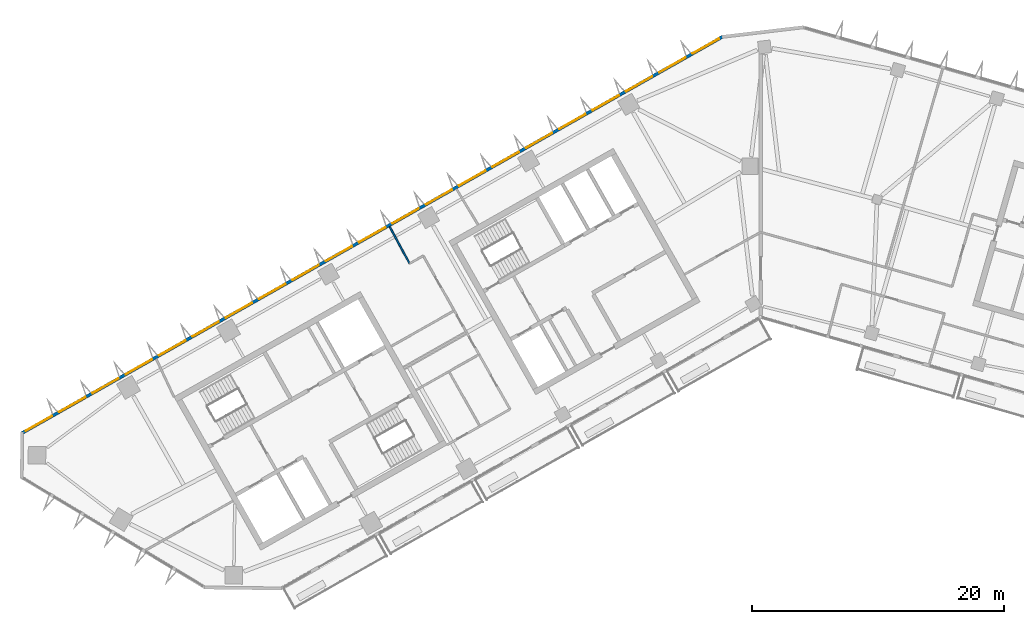
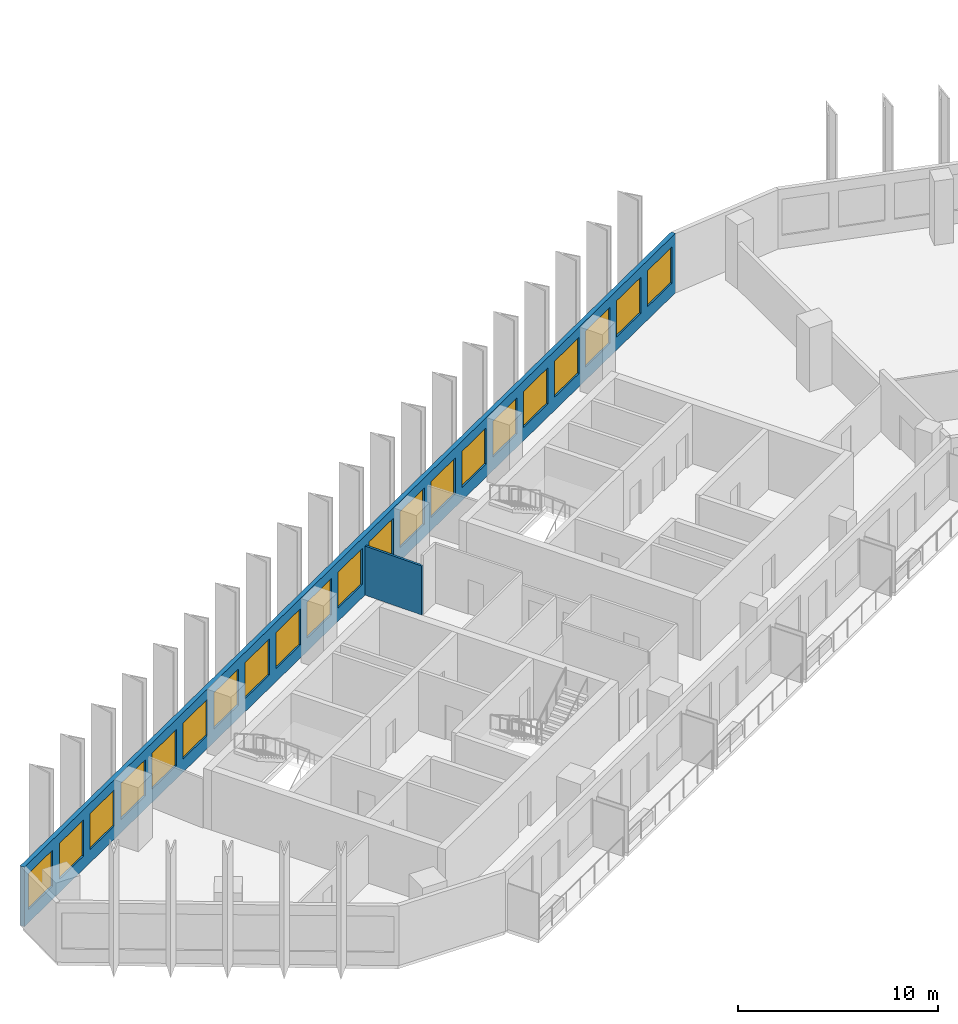
# One storey, part 4 of 11: 21 windows, 2 walls, 21 openings.
"""IFC4 building model written with IfcOpenShell, lengths in metres."""

from ifc_helpers import new_model, si_unit, direction, frame, frame_2d, origin, place, context, subcontext, project, spatial, rectangle, extrude, material, layer, layer_set, type_object, element, fill, save


model = new_model("IFC4")

# Units and contexts
model_context = context("Model", 3, precision=1e-05, world=origin(), true_north=direction((0.0, 1.0)))
body_context = subcontext(model_context, "Body", "Model", "MODEL_VIEW")
ifc_project = project(units=[si_unit("LENGTHUNIT", "METRE"), si_unit("AREAUNIT", "SQUARE_METRE"), si_unit("VOLUMEUNIT", "CUBIC_METRE"), si_unit("PLANEANGLEUNIT", "RADIAN"), si_unit("MASSUNIT", "GRAM", prefix="KILO")], contexts=[model_context])

# Site, building, storey
site_placement = place(None, origin())
site = spatial("IfcSite", under=ifc_project, at=site_placement, CompositionType="ELEMENT")
building_placement = place(site_placement, origin())
building = spatial("IfcBuilding", under=site, at=building_placement, Name="Binnacle Exchange Tower", CompositionType="ELEMENT")
storey_placement = place(building_placement, frame((0.0, 0.0, 207.5)))
storey = spatial("IfcBuildingStorey", under=building, at=storey_placement, Name="L45", CompositionType="ELEMENT", Elevation=207.5)

# Wall, openings, windows
ifc_material_1 = material(Name="Bronze aluminium cladding", Category="aluminium")
ifc_layer_1 = layer(ifc_material_1, 0.25)
ifc_layer_set_1 = layer_set([ifc_layer_1], Name="External wall - window wall 250")
wall_type_1 = type_object("IfcWallType", Name="External wall - window wall 250", PredefinedType="STANDARD", material=ifc_layer_set_1)
wall_1_placement = place(storey_placement, frame((-58.732177734375, 38.770751953125, 0.0), z_axis=(0.0, 0.0, 1.0), x_axis=(0.870354824205, 0.492425100887, 0.0)))
wall_1 = element("IfcWall", 1, at=wall_1_placement, inside=storey, type_object=wall_type_1, Name="External wall EW-G08 L45", PredefinedType="STANDARD", context=body_context, shape_type="SweptSolid", body=[
    extrude(rectangle(XDim=64.005859375, YDim=0.25, at=frame_2d((32.0029296875, 0.0))), origin(), (0.0, 0.0, 1.0), 3.6201171875),
])
opening_1_placement = place(wall_1_placement, frame((61.25927734375, 0.0, 0.800048828125)))
opening_1 = element("IfcOpeningElement", 2, at=opening_1_placement, cuts=wall_1, Name="Opening WR1", PredefinedType="OPENING", context=body_context, shape_type="SweptSolid", body=[
    extrude(rectangle(XDim=2.39990234375, YDim=2.199951171875, at=frame_2d((1.199951171875, 1.10009765625))), frame((0.0, 0.135009765625, 0.0), z_axis=(0.0, -1.0, 0.0), x_axis=(1.0, 0.0, 0.0)), (0.0, 0.0, 1.0), 0.27001953125),
])
opening_2_placement = place(wall_1_placement, frame((58.2158203125, 0.0, 0.800048828125)))
opening_2 = element("IfcOpeningElement", 3, at=opening_2_placement, cuts=wall_1, Name="Opening WR1", PredefinedType="OPENING", context=body_context, shape_type="SweptSolid", body=[
    extrude(rectangle(XDim=2.39990234375, YDim=2.199951171875, at=frame_2d((1.199951171875, 1.10009765625))), frame((0.0, 0.135009765625, 0.0), z_axis=(0.0, -1.0, 0.0), x_axis=(1.0, 0.0, 0.0)), (0.0, 0.0, 1.0), 0.27001953125),
])
opening_3_placement = place(wall_1_placement, frame((55.172607421875, 0.0, 0.800048828125)))
opening_3 = element("IfcOpeningElement", 4, at=opening_3_placement, cuts=wall_1, Name="Opening WR1", PredefinedType="OPENING", context=body_context, shape_type="SweptSolid", body=[
    extrude(rectangle(XDim=2.39990234375, YDim=2.199951171875, at=frame_2d((1.199951171875, 1.10009765625))), frame((0.0, 0.135009765625, 0.0), z_axis=(0.0, -1.0, 0.0), x_axis=(1.0, 0.0, 0.0)), (0.0, 0.0, 1.0), 0.27001953125),
])
opening_4_placement = place(wall_1_placement, frame((52.12939453125, 0.0, 0.800048828125)))
opening_4 = element("IfcOpeningElement", 5, at=opening_4_placement, cuts=wall_1, Name="Opening WR1", PredefinedType="OPENING", context=body_context, shape_type="SweptSolid", body=[
    extrude(rectangle(XDim=2.39990234375, YDim=2.199951171875, at=frame_2d((1.199951171875, 1.10009765625))), frame((0.0, 0.135009765625, 0.0), z_axis=(0.0, -1.0, 0.0), x_axis=(1.0, 0.0, 0.0)), (0.0, 0.0, 1.0), 0.27001953125),
])
opening_5_placement = place(wall_1_placement, frame((49.0859375, 0.0, 0.800048828125)))
opening_5 = element("IfcOpeningElement", 6, at=opening_5_placement, cuts=wall_1, Name="Opening WR1", PredefinedType="OPENING", context=body_context, shape_type="SweptSolid", body=[
    extrude(rectangle(XDim=2.39990234375, YDim=2.199951171875, at=frame_2d((1.199951171875, 1.10009765625))), frame((0.0, 0.135009765625, 0.0), z_axis=(0.0, -1.0, 0.0), x_axis=(1.0, 0.0, 0.0)), (0.0, 0.0, 1.0), 0.27001953125),
])
opening_6_placement = place(wall_1_placement, frame((46.042724609375, 0.0, 0.800048828125)))
opening_6 = element("IfcOpeningElement", 7, at=opening_6_placement, cuts=wall_1, Name="Opening WR1", PredefinedType="OPENING", context=body_context, shape_type="SweptSolid", body=[
    extrude(rectangle(XDim=2.39990234375, YDim=2.199951171875, at=frame_2d((1.199951171875, 1.10009765625))), frame((0.0, 0.135009765625, 0.0), z_axis=(0.0, -1.0, 0.0), x_axis=(1.0, 0.0, 0.0)), (0.0, 0.0, 1.0), 0.27001953125),
])
opening_7_placement = place(wall_1_placement, frame((42.99951171875, 0.0, 0.800048828125)))
opening_7 = element("IfcOpeningElement", 8, at=opening_7_placement, cuts=wall_1, Name="Opening WR1", PredefinedType="OPENING", context=body_context, shape_type="SweptSolid", body=[
    extrude(rectangle(XDim=2.39990234375, YDim=2.199951171875, at=frame_2d((1.199951171875, 1.10009765625))), frame((0.0, 0.135009765625, 0.0), z_axis=(0.0, -1.0, 0.0), x_axis=(1.0, 0.0, 0.0)), (0.0, 0.0, 1.0), 0.27001953125),
])
opening_8_placement = place(wall_1_placement, frame((39.956298828125, 0.0, 0.800048828125)))
opening_8 = element("IfcOpeningElement", 9, at=opening_8_placement, cuts=wall_1, Name="Opening WR1", PredefinedType="OPENING", context=body_context, shape_type="SweptSolid", body=[
    extrude(rectangle(XDim=2.39990234375, YDim=2.199951171875, at=frame_2d((1.199951171875, 1.10009765625))), frame((0.0, 0.135009765625, 0.0), z_axis=(0.0, -1.0, 0.0), x_axis=(1.0, 0.0, 0.0)), (0.0, 0.0, 1.0), 0.27001953125),
])
opening_9_placement = place(wall_1_placement, frame((36.912841796875, 0.0, 0.800048828125)))
opening_9 = element("IfcOpeningElement", 10, at=opening_9_placement, cuts=wall_1, Name="Opening WR1", PredefinedType="OPENING", context=body_context, shape_type="SweptSolid", body=[
    extrude(rectangle(XDim=2.39990234375, YDim=2.199951171875, at=frame_2d((1.199951171875, 1.10009765625))), frame((0.0, 0.135009765625, 0.0), z_axis=(0.0, -1.0, 0.0), x_axis=(1.0, 0.0, 0.0)), (0.0, 0.0, 1.0), 0.27001953125),
])
opening_10_placement = place(wall_1_placement, frame((33.86962890625, 0.0, 0.800048828125)))
opening_10 = element("IfcOpeningElement", 11, at=opening_10_placement, cuts=wall_1, Name="Opening WR1", PredefinedType="OPENING", context=body_context, shape_type="SweptSolid", body=[
    extrude(rectangle(XDim=2.39990234375, YDim=2.199951171875, at=frame_2d((1.199951171875, 1.10009765625))), frame((0.0, 0.135009765625, 0.0), z_axis=(0.0, -1.0, 0.0), x_axis=(1.0, 0.0, 0.0)), (0.0, 0.0, 1.0), 0.27001953125),
])
opening_11_placement = place(wall_1_placement, frame((30.826416015625, 0.0, 0.800048828125)))
opening_11 = element("IfcOpeningElement", 12, at=opening_11_placement, cuts=wall_1, Name="Opening WR1", PredefinedType="OPENING", context=body_context, shape_type="SweptSolid", body=[
    extrude(rectangle(XDim=2.39990234375, YDim=2.199951171875, at=frame_2d((1.199951171875, 1.10009765625))), frame((0.0, 0.135009765625, 0.0), z_axis=(0.0, -1.0, 0.0), x_axis=(1.0, 0.0, 0.0)), (0.0, 0.0, 1.0), 0.27001953125),
])
opening_12_placement = place(wall_1_placement, frame((27.782958984375, 0.0, 0.800048828125)))
opening_12 = element("IfcOpeningElement", 13, at=opening_12_placement, cuts=wall_1, Name="Opening WR1", PredefinedType="OPENING", context=body_context, shape_type="SweptSolid", body=[
    extrude(rectangle(XDim=2.39990234375, YDim=2.199951171875, at=frame_2d((1.199951171875, 1.10009765625))), frame((0.0, 0.135009765625, 0.0), z_axis=(0.0, -1.0, 0.0), x_axis=(1.0, 0.0, 0.0)), (0.0, 0.0, 1.0), 0.27001953125),
])
opening_13_placement = place(wall_1_placement, frame((24.73974609375, 0.0, 0.800048828125)))
opening_13 = element("IfcOpeningElement", 14, at=opening_13_placement, cuts=wall_1, Name="Opening WR1", PredefinedType="OPENING", context=body_context, shape_type="SweptSolid", body=[
    extrude(rectangle(XDim=2.39990234375, YDim=2.199951171875, at=frame_2d((1.199951171875, 1.10009765625))), frame((0.0, 0.135009765625, 0.0), z_axis=(0.0, -1.0, 0.0), x_axis=(1.0, 0.0, 0.0)), (0.0, 0.0, 1.0), 0.27001953125),
])
opening_14_placement = place(wall_1_placement, frame((21.6962890625, 0.0, 0.800048828125)))
opening_14 = element("IfcOpeningElement", 15, at=opening_14_placement, cuts=wall_1, Name="Opening WR1", PredefinedType="OPENING", context=body_context, shape_type="SweptSolid", body=[
    extrude(rectangle(XDim=2.39990234375, YDim=2.199951171875, at=frame_2d((1.199951171875, 1.10009765625))), frame((0.0, 0.135009765625, 0.0), z_axis=(0.0, -1.0, 0.0), x_axis=(1.0, 0.0, 0.0)), (0.0, 0.0, 1.0), 0.27001953125),
])
opening_15_placement = place(wall_1_placement, frame((18.6533203125, 0.0, 0.800048828125)))
opening_15 = element("IfcOpeningElement", 16, at=opening_15_placement, cuts=wall_1, Name="Opening WR1", PredefinedType="OPENING", context=body_context, shape_type="SweptSolid", body=[
    extrude(rectangle(XDim=2.39990234375, YDim=2.199951171875, at=frame_2d((1.199951171875, 1.10009765625))), frame((0.0, 0.135009765625, 0.0), z_axis=(0.0, -1.0, 0.0), x_axis=(1.0, 0.0, 0.0)), (0.0, 0.0, 1.0), 0.27001953125),
])
opening_16_placement = place(wall_1_placement, frame((15.60986328125, 0.0, 0.800048828125)))
opening_16 = element("IfcOpeningElement", 17, at=opening_16_placement, cuts=wall_1, Name="Opening WR1", PredefinedType="OPENING", context=body_context, shape_type="SweptSolid", body=[
    extrude(rectangle(XDim=2.39990234375, YDim=2.199951171875, at=frame_2d((1.199951171875, 1.10009765625))), frame((0.0, 0.135009765625, 0.0), z_axis=(0.0, -1.0, 0.0), x_axis=(1.0, 0.0, 0.0)), (0.0, 0.0, 1.0), 0.27001953125),
])
opening_17_placement = place(wall_1_placement, frame((12.566650390625, 0.0, 0.800048828125)))
opening_17 = element("IfcOpeningElement", 18, at=opening_17_placement, cuts=wall_1, Name="Opening WR1", PredefinedType="OPENING", context=body_context, shape_type="SweptSolid", body=[
    extrude(rectangle(XDim=2.39990234375, YDim=2.199951171875, at=frame_2d((1.199951171875, 1.10009765625))), frame((0.0, 0.135009765625, 0.0), z_axis=(0.0, -1.0, 0.0), x_axis=(1.0, 0.0, 0.0)), (0.0, 0.0, 1.0), 0.27001953125),
])
opening_18_placement = place(wall_1_placement, frame((9.523193359375, 0.0, 0.800048828125)))
opening_18 = element("IfcOpeningElement", 19, at=opening_18_placement, cuts=wall_1, Name="Opening WR1", PredefinedType="OPENING", context=body_context, shape_type="SweptSolid", body=[
    extrude(rectangle(XDim=2.39990234375, YDim=2.199951171875, at=frame_2d((1.199951171875, 1.10009765625))), frame((0.0, 0.135009765625, 0.0), z_axis=(0.0, -1.0, 0.0), x_axis=(1.0, 0.0, 0.0)), (0.0, 0.0, 1.0), 0.27001953125),
])
opening_19_placement = place(wall_1_placement, frame((6.47998046875, 0.0, 0.800048828125)))
opening_19 = element("IfcOpeningElement", 20, at=opening_19_placement, cuts=wall_1, Name="Opening WR1", PredefinedType="OPENING", context=body_context, shape_type="SweptSolid", body=[
    extrude(rectangle(XDim=2.39990234375, YDim=2.199951171875, at=frame_2d((1.199951171875, 1.10009765625))), frame((0.0, 0.135009765625, 0.0), z_axis=(0.0, -1.0, 0.0), x_axis=(1.0, 0.0, 0.0)), (0.0, 0.0, 1.0), 0.27001953125),
])
opening_20_placement = place(wall_1_placement, frame((3.436767578125, 0.0, 0.800048828125)))
opening_20 = element("IfcOpeningElement", 21, at=opening_20_placement, cuts=wall_1, Name="Opening WR1", PredefinedType="OPENING", context=body_context, shape_type="SweptSolid", body=[
    extrude(rectangle(XDim=2.39990234375, YDim=2.199951171875, at=frame_2d((1.199951171875, 1.10009765625))), frame((0.0, 0.135009765625, 0.0), z_axis=(0.0, -1.0, 0.0), x_axis=(1.0, 0.0, 0.0)), (0.0, 0.0, 1.0), 0.27001953125),
])
opening_21_placement = place(wall_1_placement, frame((0.393310546875, 0.0, 0.800048828125)))
opening_21 = element("IfcOpeningElement", 22, at=opening_21_placement, cuts=wall_1, Name="Opening WR1", PredefinedType="OPENING", context=body_context, shape_type="SweptSolid", body=[
    extrude(rectangle(XDim=2.39990234375, YDim=2.199951171875, at=frame_2d((1.199951171875, 1.10009765625))), frame((0.0, 0.135009765625, 0.0), z_axis=(0.0, -1.0, 0.0), x_axis=(1.0, 0.0, 0.0)), (0.0, 0.0, 1.0), 0.27001953125),
])
ifc_material_2 = material(Name="Bronze anodised aluminium frame", Category="aluminium")
window_type = type_object("IfcWindowType", Name="WR1 WINDOW 2400x2200", PartitioningType="SINGLE_PANEL", PredefinedType="WINDOW", material=ifc_material_2)
window_1_placement = place(opening_1_placement, origin())
window_1 = element("IfcWindow", 23, at=window_1_placement, inside=storey, type_object=window_type, Name="Window WR1 L45", OverallHeight=2.199951171875, OverallWidth=2.39990234375, PartitioningType="SINGLE_PANEL", PredefinedType="WINDOW", context=body_context, shape_type="SweptSolid", body=[
    extrude(rectangle(XDim=2.39990234375, YDim=2.199951171875, at=frame_2d((1.199951171875, 1.10009765625))), frame((0.0, 0.030029296875, 0.0), z_axis=(0.0, -1.0, 0.0), x_axis=(1.0, 0.0, 0.0)), (0.0, 0.0, 1.0), 0.06005859375),
])
fill(opening_1, window_1)
window_2_placement = place(opening_2_placement, origin())
window_2 = element("IfcWindow", 24, at=window_2_placement, inside=storey, type_object=window_type, Name="Window WR1 L45", OverallHeight=2.199951171875, OverallWidth=2.39990234375, PartitioningType="SINGLE_PANEL", PredefinedType="WINDOW", context=body_context, shape_type="SweptSolid", body=[
    extrude(rectangle(XDim=2.39990234375, YDim=2.199951171875, at=frame_2d((1.199951171875, 1.10009765625))), frame((0.0, 0.030029296875, 0.0), z_axis=(0.0, -1.0, 0.0), x_axis=(1.0, 0.0, 0.0)), (0.0, 0.0, 1.0), 0.06005859375),
])
fill(opening_2, window_2)
window_3_placement = place(opening_3_placement, origin())
window_3 = element("IfcWindow", 25, at=window_3_placement, inside=storey, type_object=window_type, Name="Window WR1 L45", OverallHeight=2.199951171875, OverallWidth=2.39990234375, PartitioningType="SINGLE_PANEL", PredefinedType="WINDOW", context=body_context, shape_type="SweptSolid", body=[
    extrude(rectangle(XDim=2.39990234375, YDim=2.199951171875, at=frame_2d((1.199951171875, 1.10009765625))), frame((0.0, 0.030029296875, 0.0), z_axis=(0.0, -1.0, 0.0), x_axis=(1.0, 0.0, 0.0)), (0.0, 0.0, 1.0), 0.06005859375),
])
fill(opening_3, window_3)
window_4_placement = place(opening_4_placement, origin())
window_4 = element("IfcWindow", 26, at=window_4_placement, inside=storey, type_object=window_type, Name="Window WR1 L45", OverallHeight=2.199951171875, OverallWidth=2.39990234375, PartitioningType="SINGLE_PANEL", PredefinedType="WINDOW", context=body_context, shape_type="SweptSolid", body=[
    extrude(rectangle(XDim=2.39990234375, YDim=2.199951171875, at=frame_2d((1.199951171875, 1.10009765625))), frame((0.0, 0.030029296875, 0.0), z_axis=(0.0, -1.0, 0.0), x_axis=(1.0, 0.0, 0.0)), (0.0, 0.0, 1.0), 0.06005859375),
])
fill(opening_4, window_4)
window_5_placement = place(opening_5_placement, origin())
window_5 = element("IfcWindow", 27, at=window_5_placement, inside=storey, type_object=window_type, Name="Window WR1 L45", OverallHeight=2.199951171875, OverallWidth=2.39990234375, PartitioningType="SINGLE_PANEL", PredefinedType="WINDOW", context=body_context, shape_type="SweptSolid", body=[
    extrude(rectangle(XDim=2.39990234375, YDim=2.199951171875, at=frame_2d((1.199951171875, 1.10009765625))), frame((0.0, 0.030029296875, 0.0), z_axis=(0.0, -1.0, 0.0), x_axis=(1.0, 0.0, 0.0)), (0.0, 0.0, 1.0), 0.06005859375),
])
fill(opening_5, window_5)
window_6_placement = place(opening_6_placement, origin())
window_6 = element("IfcWindow", 28, at=window_6_placement, inside=storey, type_object=window_type, Name="Window WR1 L45", OverallHeight=2.199951171875, OverallWidth=2.39990234375, PartitioningType="SINGLE_PANEL", PredefinedType="WINDOW", context=body_context, shape_type="SweptSolid", body=[
    extrude(rectangle(XDim=2.39990234375, YDim=2.199951171875, at=frame_2d((1.199951171875, 1.10009765625))), frame((0.0, 0.030029296875, 0.0), z_axis=(0.0, -1.0, 0.0), x_axis=(1.0, 0.0, 0.0)), (0.0, 0.0, 1.0), 0.06005859375),
])
fill(opening_6, window_6)
window_7_placement = place(opening_7_placement, origin())
window_7 = element("IfcWindow", 29, at=window_7_placement, inside=storey, type_object=window_type, Name="Window WR1 L45", OverallHeight=2.199951171875, OverallWidth=2.39990234375, PartitioningType="SINGLE_PANEL", PredefinedType="WINDOW", context=body_context, shape_type="SweptSolid", body=[
    extrude(rectangle(XDim=2.39990234375, YDim=2.199951171875, at=frame_2d((1.199951171875, 1.10009765625))), frame((0.0, 0.030029296875, 0.0), z_axis=(0.0, -1.0, 0.0), x_axis=(1.0, 0.0, 0.0)), (0.0, 0.0, 1.0), 0.06005859375),
])
fill(opening_7, window_7)
window_8_placement = place(opening_8_placement, origin())
window_8 = element("IfcWindow", 30, at=window_8_placement, inside=storey, type_object=window_type, Name="Window WR1 L45", OverallHeight=2.199951171875, OverallWidth=2.39990234375, PartitioningType="SINGLE_PANEL", PredefinedType="WINDOW", context=body_context, shape_type="SweptSolid", body=[
    extrude(rectangle(XDim=2.39990234375, YDim=2.199951171875, at=frame_2d((1.199951171875, 1.10009765625))), frame((0.0, 0.030029296875, 0.0), z_axis=(0.0, -1.0, 0.0), x_axis=(1.0, 0.0, 0.0)), (0.0, 0.0, 1.0), 0.06005859375),
])
fill(opening_8, window_8)
window_9_placement = place(opening_9_placement, origin())
window_9 = element("IfcWindow", 31, at=window_9_placement, inside=storey, type_object=window_type, Name="Window WR1 L45", OverallHeight=2.199951171875, OverallWidth=2.39990234375, PartitioningType="SINGLE_PANEL", PredefinedType="WINDOW", context=body_context, shape_type="SweptSolid", body=[
    extrude(rectangle(XDim=2.39990234375, YDim=2.199951171875, at=frame_2d((1.199951171875, 1.10009765625))), frame((0.0, 0.030029296875, 0.0), z_axis=(0.0, -1.0, 0.0), x_axis=(1.0, 0.0, 0.0)), (0.0, 0.0, 1.0), 0.06005859375),
])
fill(opening_9, window_9)
window_10_placement = place(opening_10_placement, origin())
window_10 = element("IfcWindow", 32, at=window_10_placement, inside=storey, type_object=window_type, Name="Window WR1 L45", OverallHeight=2.199951171875, OverallWidth=2.39990234375, PartitioningType="SINGLE_PANEL", PredefinedType="WINDOW", context=body_context, shape_type="SweptSolid", body=[
    extrude(rectangle(XDim=2.39990234375, YDim=2.199951171875, at=frame_2d((1.199951171875, 1.10009765625))), frame((0.0, 0.030029296875, 0.0), z_axis=(0.0, -1.0, 0.0), x_axis=(1.0, 0.0, 0.0)), (0.0, 0.0, 1.0), 0.06005859375),
])
fill(opening_10, window_10)
window_11_placement = place(opening_11_placement, origin())
window_11 = element("IfcWindow", 33, at=window_11_placement, inside=storey, type_object=window_type, Name="Window WR1 L45", OverallHeight=2.199951171875, OverallWidth=2.39990234375, PartitioningType="SINGLE_PANEL", PredefinedType="WINDOW", context=body_context, shape_type="SweptSolid", body=[
    extrude(rectangle(XDim=2.39990234375, YDim=2.199951171875, at=frame_2d((1.199951171875, 1.10009765625))), frame((0.0, 0.030029296875, 0.0), z_axis=(0.0, -1.0, 0.0), x_axis=(1.0, 0.0, 0.0)), (0.0, 0.0, 1.0), 0.06005859375),
])
fill(opening_11, window_11)
window_12_placement = place(opening_12_placement, origin())
window_12 = element("IfcWindow", 34, at=window_12_placement, inside=storey, type_object=window_type, Name="Window WR1 L45", OverallHeight=2.199951171875, OverallWidth=2.39990234375, PartitioningType="SINGLE_PANEL", PredefinedType="WINDOW", context=body_context, shape_type="SweptSolid", body=[
    extrude(rectangle(XDim=2.39990234375, YDim=2.199951171875, at=frame_2d((1.199951171875, 1.10009765625))), frame((0.0, 0.030029296875, 0.0), z_axis=(0.0, -1.0, 0.0), x_axis=(1.0, 0.0, 0.0)), (0.0, 0.0, 1.0), 0.06005859375),
])
fill(opening_12, window_12)
window_13_placement = place(opening_13_placement, origin())
window_13 = element("IfcWindow", 35, at=window_13_placement, inside=storey, type_object=window_type, Name="Window WR1 L45", OverallHeight=2.199951171875, OverallWidth=2.39990234375, PartitioningType="SINGLE_PANEL", PredefinedType="WINDOW", context=body_context, shape_type="SweptSolid", body=[
    extrude(rectangle(XDim=2.39990234375, YDim=2.199951171875, at=frame_2d((1.199951171875, 1.10009765625))), frame((0.0, 0.030029296875, 0.0), z_axis=(0.0, -1.0, 0.0), x_axis=(1.0, 0.0, 0.0)), (0.0, 0.0, 1.0), 0.06005859375),
])
fill(opening_13, window_13)
window_14_placement = place(opening_14_placement, origin())
window_14 = element("IfcWindow", 36, at=window_14_placement, inside=storey, type_object=window_type, Name="Window WR1 L45", OverallHeight=2.199951171875, OverallWidth=2.39990234375, PartitioningType="SINGLE_PANEL", PredefinedType="WINDOW", context=body_context, shape_type="SweptSolid", body=[
    extrude(rectangle(XDim=2.39990234375, YDim=2.199951171875, at=frame_2d((1.199951171875, 1.10009765625))), frame((0.0, 0.030029296875, 0.0), z_axis=(0.0, -1.0, 0.0), x_axis=(1.0, 0.0, 0.0)), (0.0, 0.0, 1.0), 0.06005859375),
])
fill(opening_14, window_14)
window_15_placement = place(opening_15_placement, origin())
window_15 = element("IfcWindow", 37, at=window_15_placement, inside=storey, type_object=window_type, Name="Window WR1 L45", OverallHeight=2.199951171875, OverallWidth=2.39990234375, PartitioningType="SINGLE_PANEL", PredefinedType="WINDOW", context=body_context, shape_type="SweptSolid", body=[
    extrude(rectangle(XDim=2.39990234375, YDim=2.199951171875, at=frame_2d((1.199951171875, 1.10009765625))), frame((0.0, 0.030029296875, 0.0), z_axis=(0.0, -1.0, 0.0), x_axis=(1.0, 0.0, 0.0)), (0.0, 0.0, 1.0), 0.06005859375),
])
fill(opening_15, window_15)
window_16_placement = place(opening_16_placement, origin())
window_16 = element("IfcWindow", 38, at=window_16_placement, inside=storey, type_object=window_type, Name="Window WR1 L45", OverallHeight=2.199951171875, OverallWidth=2.39990234375, PartitioningType="SINGLE_PANEL", PredefinedType="WINDOW", context=body_context, shape_type="SweptSolid", body=[
    extrude(rectangle(XDim=2.39990234375, YDim=2.199951171875, at=frame_2d((1.199951171875, 1.10009765625))), frame((0.0, 0.030029296875, 0.0), z_axis=(0.0, -1.0, 0.0), x_axis=(1.0, 0.0, 0.0)), (0.0, 0.0, 1.0), 0.06005859375),
])
fill(opening_16, window_16)
window_17_placement = place(opening_17_placement, origin())
window_17 = element("IfcWindow", 39, at=window_17_placement, inside=storey, type_object=window_type, Name="Window WR1 L45", OverallHeight=2.199951171875, OverallWidth=2.39990234375, PartitioningType="SINGLE_PANEL", PredefinedType="WINDOW", context=body_context, shape_type="SweptSolid", body=[
    extrude(rectangle(XDim=2.39990234375, YDim=2.199951171875, at=frame_2d((1.199951171875, 1.10009765625))), frame((0.0, 0.030029296875, 0.0), z_axis=(0.0, -1.0, 0.0), x_axis=(1.0, 0.0, 0.0)), (0.0, 0.0, 1.0), 0.06005859375),
])
fill(opening_17, window_17)
window_18_placement = place(opening_18_placement, origin())
window_18 = element("IfcWindow", 40, at=window_18_placement, inside=storey, type_object=window_type, Name="Window WR1 L45", OverallHeight=2.199951171875, OverallWidth=2.39990234375, PartitioningType="SINGLE_PANEL", PredefinedType="WINDOW", context=body_context, shape_type="SweptSolid", body=[
    extrude(rectangle(XDim=2.39990234375, YDim=2.199951171875, at=frame_2d((1.199951171875, 1.10009765625))), frame((0.0, 0.030029296875, 0.0), z_axis=(0.0, -1.0, 0.0), x_axis=(1.0, 0.0, 0.0)), (0.0, 0.0, 1.0), 0.06005859375),
])
fill(opening_18, window_18)
window_19_placement = place(opening_19_placement, origin())
window_19 = element("IfcWindow", 41, at=window_19_placement, inside=storey, type_object=window_type, Name="Window WR1 L45", OverallHeight=2.199951171875, OverallWidth=2.39990234375, PartitioningType="SINGLE_PANEL", PredefinedType="WINDOW", context=body_context, shape_type="SweptSolid", body=[
    extrude(rectangle(XDim=2.39990234375, YDim=2.199951171875, at=frame_2d((1.199951171875, 1.10009765625))), frame((0.0, 0.030029296875, 0.0), z_axis=(0.0, -1.0, 0.0), x_axis=(1.0, 0.0, 0.0)), (0.0, 0.0, 1.0), 0.06005859375),
])
fill(opening_19, window_19)
window_20_placement = place(opening_20_placement, origin())
window_20 = element("IfcWindow", 42, at=window_20_placement, inside=storey, type_object=window_type, Name="Window WR1 L45", OverallHeight=2.199951171875, OverallWidth=2.39990234375, PartitioningType="SINGLE_PANEL", PredefinedType="WINDOW", context=body_context, shape_type="SweptSolid", body=[
    extrude(rectangle(XDim=2.39990234375, YDim=2.199951171875, at=frame_2d((1.199951171875, 1.10009765625))), frame((0.0, 0.030029296875, 0.0), z_axis=(0.0, -1.0, 0.0), x_axis=(1.0, 0.0, 0.0)), (0.0, 0.0, 1.0), 0.06005859375),
])
fill(opening_20, window_20)
window_21_placement = place(opening_21_placement, origin())
window_21 = element("IfcWindow", 43, at=window_21_placement, inside=storey, type_object=window_type, Name="Window WR1 L45", OverallHeight=2.199951171875, OverallWidth=2.39990234375, PartitioningType="SINGLE_PANEL", PredefinedType="WINDOW", context=body_context, shape_type="SweptSolid", body=[
    extrude(rectangle(XDim=2.39990234375, YDim=2.199951171875, at=frame_2d((1.199951171875, 1.10009765625))), frame((0.0, 0.030029296875, 0.0), z_axis=(0.0, -1.0, 0.0), x_axis=(1.0, 0.0, 0.0)), (0.0, 0.0, 1.0), 0.06005859375),
])
fill(opening_21, window_21)

# Wall
ifc_material_3 = material(Name="Gypsum partition")
ifc_layer_2 = layer(ifc_material_3, 0.125)
ifc_layer_set_2 = layer_set([ifc_layer_2], Name="Partition 125")
wall_type_2 = type_object("IfcWallType", Name="Partition 125", PredefinedType="PARTITIONING", material=ifc_layer_set_2)
wall_2_placement = place(storey_placement, frame((-29.47412109375, 55.180908203125, 0.0), z_axis=(0.0, 0.0, 1.0), x_axis=(0.475344759365, -0.879799613403, 0.0)))
element("IfcWall", 44, at=wall_2_placement, inside=storey, type_object=wall_type_2, Name="Partition W03", PredefinedType="PARTITIONING", context=body_context, shape_type="SweptSolid", body=[
    extrude(rectangle(XDim=3.320068359375, YDim=0.125, at=frame_2d((1.66015625, 0.0))), origin(), (0.0, 0.0, 1.0), 2.988037109375),
])

save(model, "model.ifc")
